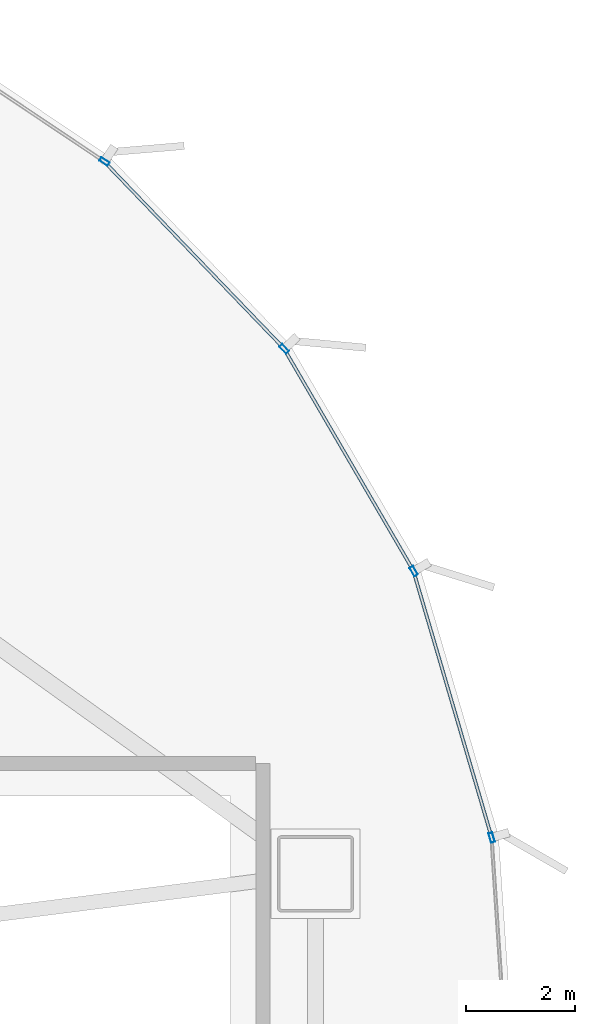
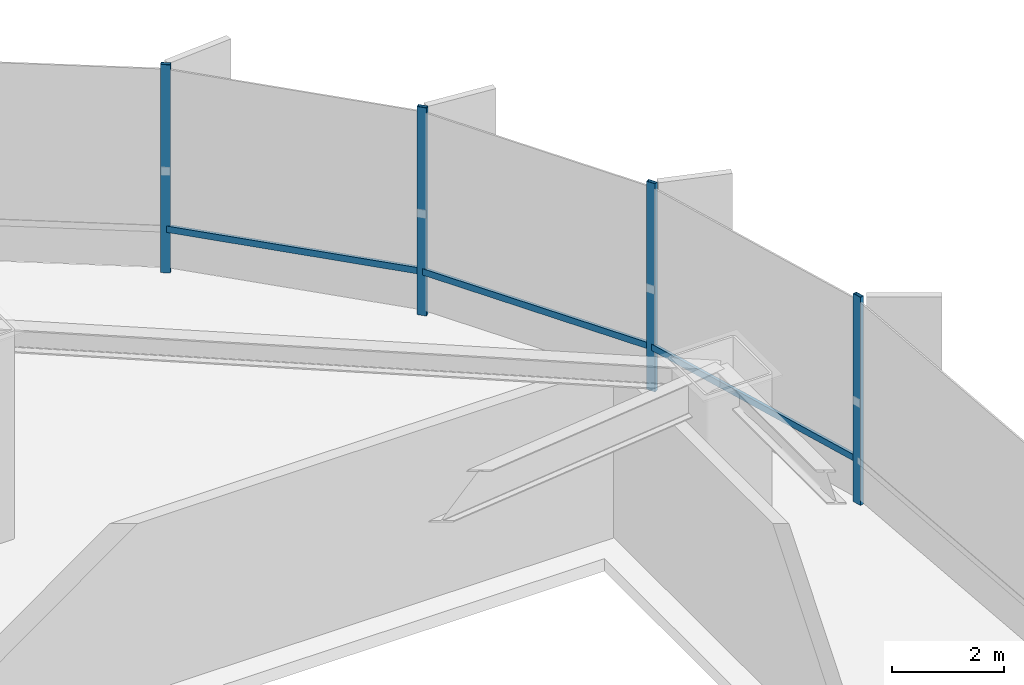
# One storey, part 21 of 34: 7 members, 1 element without a shape of its own.
"""IFC4 building model written with IfcOpenShell, lengths in metres."""

from ifc_helpers import new_model, si_unit, direction, frame, origin, origin_2d, place, context, subcontext, project, spatial, hollow_rectangle, extrude, source, transform, mapped, material, layer, layer_set, material_profile, profile_set, type_object, element, aggregate, save


model = new_model("IFC4")

# Units and contexts
model_context = context("Model", 3, precision=1e-05, world=origin(), true_north=direction((0.0, 1.0)))
body_context = subcontext(model_context, "Body", "Model", "MODEL_VIEW")
ifc_project = project(units=[si_unit("LENGTHUNIT", "METRE"), si_unit("AREAUNIT", "SQUARE_METRE"), si_unit("VOLUMEUNIT", "CUBIC_METRE"), si_unit("PLANEANGLEUNIT", "RADIAN"), si_unit("MASSUNIT", "GRAM", prefix="KILO"), si_unit("THERMODYNAMICTEMPERATUREUNIT", "KELVIN")], contexts=[model_context])

# Site, building, storey
site_placement = place(None, origin())
site = spatial("IfcSite", under=ifc_project, at=site_placement, CompositionType="ELEMENT")
building_placement = place(site_placement, origin())
building = spatial("IfcBuilding", under=site, at=building_placement, Name="Kethvar Cultural Tower", CompositionType="ELEMENT")
storey_placement = place(building_placement, frame((0.0, 0.0, 14.800048828125)))
storey = spatial("IfcBuildingStorey", under=building, at=storey_placement, Name="L03", CompositionType="ELEMENT", Elevation=14.800048828125)

# Curtain wall, members
ifc_material = material(Name="Aluminium 6063-T6", Category="aluminium")
ifc_layer = layer(ifc_material, 0.179931640625, Name="Aluminium 6063-T6", Category="aluminium")
ifc_layer_set = layer_set([ifc_layer], Name="Aluminium 6063-T6 (180 mm)")
curtain_wall_type = type_object("IfcCurtainWallType", Name="CW-SYS-01-POD", PredefinedType="NOTDEFINED", material=ifc_layer_set)
curtain_wall_placement = place(storey_placement, origin())
curtain_wall = element("IfcCurtainWall", 1, at=curtain_wall_placement, inside=storey, type_object=curtain_wall_type, Name="L03 Curtain Wall Run 01", PredefinedType="NOTDEFINED")
ifc_material_profile_1 = material_profile(ifc_material, hollow_rectangle(XDim=0.06005859375, YDim=0.139892578125, WallThickness=0.0048828125, at=origin_2d()), Name="Aluminium 6063-T6 — RHS140x60x5")
ifc_profile_set_1 = profile_set([ifc_material_profile_1], Name="Aluminium 6063-T6 — RHS140x60x5")
member_type_1 = type_object("IfcMemberType", Name="CW-SYS-01-POD-TRN", PredefinedType="USERDEFINED", material=ifc_profile_set_1)
shared_shape_1 = source(origin(), body_context, "Body", "SweptSolid", [
    extrude(hollow_rectangle(XDim=0.06005859375, YDim=0.139892578125, WallThickness=0.0048828125, at=origin_2d()), origin(), (0.0, 0.0, 1.0), 5.012451171875),
])
member_1_placement = place(storey_placement, frame((82.577880859375, 34.993896484375, 0.949951171875), z_axis=(-0.281770748473, 0.959481758714, 0.0), x_axis=(-0.959481758714, -0.281770748473, 0.0)))
member_1 = element("IfcMember", 2, at=member_1_placement, type_object=member_type_1, Name="CW-L03-R01 Transom 2", ObjectType="TRANSOM", PredefinedType="USERDEFINED", context=body_context, shape_type="MappedRepresentation", body=[
    mapped(shared_shape_1, transform((0.0, 0.0, 0.0), scale=1.0)),
])
shared_shape_2 = source(origin(), body_context, "Body", "SweptSolid", [
    extrude(hollow_rectangle(XDim=0.06005859375, YDim=0.139892578125, WallThickness=0.0048828125, at=origin_2d()), origin(), (0.0, 0.0, 1.0), 4.639892578125),
])
member_2_placement = place(storey_placement, frame((81.135498046875, 39.872802734375, 0.949951171875), z_axis=(-0.503504560489, 0.863992568004, 0.0), x_axis=(-0.863992568004, -0.503504560489, 0.0)))
member_2 = element("IfcMember", 3, at=member_2_placement, type_object=member_type_1, Name="CW-L03-R01 Transom 3", ObjectType="TRANSOM", PredefinedType="USERDEFINED", context=body_context, shape_type="MappedRepresentation", body=[
    mapped(shared_shape_2, transform((0.0, 0.0, 0.0), scale=1.0)),
])
shared_shape_3 = source(origin(), body_context, "Body", "SweptSolid", [
    extrude(hollow_rectangle(XDim=0.06005859375, YDim=0.139892578125, WallThickness=0.0048828125, at=origin_2d()), origin(), (0.0, 0.0, 1.0), 4.6826171875),
])
member_3_placement = place(storey_placement, frame((78.75341796875, 43.942626953125, 0.949951171875), z_axis=(-0.693341040309, 0.72060960431, 0.0), x_axis=(-0.72060960431, -0.693341040309, 0.0)))
member_3 = element("IfcMember", 4, at=member_3_placement, type_object=member_type_1, Name="CW-L03-R01 Transom 4", ObjectType="TRANSOM", PredefinedType="USERDEFINED", context=body_context, shape_type="MappedRepresentation", body=[
    mapped(shared_shape_3, transform((0.0, 0.0, 0.0), scale=1.0)),
])
ifc_material_profile_2 = material_profile(ifc_material, hollow_rectangle(XDim=0.074951171875, YDim=0.179931640625, WallThickness=0.006103515625, at=origin_2d()), Name="Aluminium 6063-T6 — RHS180x75x6")
ifc_profile_set_2 = profile_set([ifc_material_profile_2], Name="Aluminium 6063-T6 — RHS180x75x6")
member_type_2 = type_object("IfcMemberType", Name="CW-SYS-01-POD-MUL", PredefinedType="MULLION", material=ifc_profile_set_2)
shared_shape_4 = source(origin(), body_context, "Body", "SweptSolid", [
    extrude(hollow_rectangle(XDim=0.074951171875, YDim=0.179931640625, WallThickness=0.006103515625, at=origin_2d()), origin(), (0.0, 0.0, 1.0), 4.530029296875),
])
member_4_placement = place(storey_placement, frame((82.593017578125, 34.94189453125, 0.0), z_axis=(0.0, 0.0, 1.0), x_axis=(-0.959496102658, -0.28172190008, 0.0)))
member_4 = element("IfcMember", 5, at=member_4_placement, type_object=member_type_2, Name="CW-L03-R01 Mullion 2", PredefinedType="MULLION", context=body_context, shape_type="MappedRepresentation", body=[
    mapped(shared_shape_4, transform((0.0, 0.0, 0.0), scale=1.0)),
])
member_5_placement = place(storey_placement, frame((81.162841796875, 39.826171875, 0.0), z_axis=(0.0, 0.0, 1.0), x_axis=(-0.863984939927, -0.503517649721, 0.0)))
member_5 = element("IfcMember", 6, at=member_5_placement, type_object=member_type_2, Name="CW-L03-R01 Mullion 3", PredefinedType="MULLION", context=body_context, shape_type="MappedRepresentation", body=[
    mapped(shared_shape_4, transform((0.0, 0.0, 0.0), scale=1.0)),
])
member_6_placement = place(storey_placement, frame((78.790771484375, 43.90380859375, 0.0), z_axis=(0.0, 0.0, 1.0), x_axis=(-0.720611619661, -0.693338945689, 0.0)))
member_6 = element("IfcMember", 7, at=member_6_placement, type_object=member_type_2, Name="CW-L03-R01 Mullion 4", PredefinedType="MULLION", context=body_context, shape_type="MappedRepresentation", body=[
    mapped(shared_shape_4, transform((0.0, 0.0, 0.0), scale=1.0)),
])
member_7_placement = place(storey_placement, frame((75.49072265625, 47.337890625, 0.0), z_axis=(0.0, 0.0, 1.0), x_axis=(-0.556556649514, -0.830809662848, 0.0)))
member_7 = element("IfcMember", 8, at=member_7_placement, type_object=member_type_2, Name="CW-L03-R01 Mullion 5", PredefinedType="MULLION", context=body_context, shape_type="MappedRepresentation", body=[
    mapped(shared_shape_4, transform((0.0, 0.0, 0.0), scale=1.0)),
])
aggregate(curtain_wall, [member_4, member_5, member_6, member_7, member_1, member_2, member_3])

save(model, "model.ifc")
